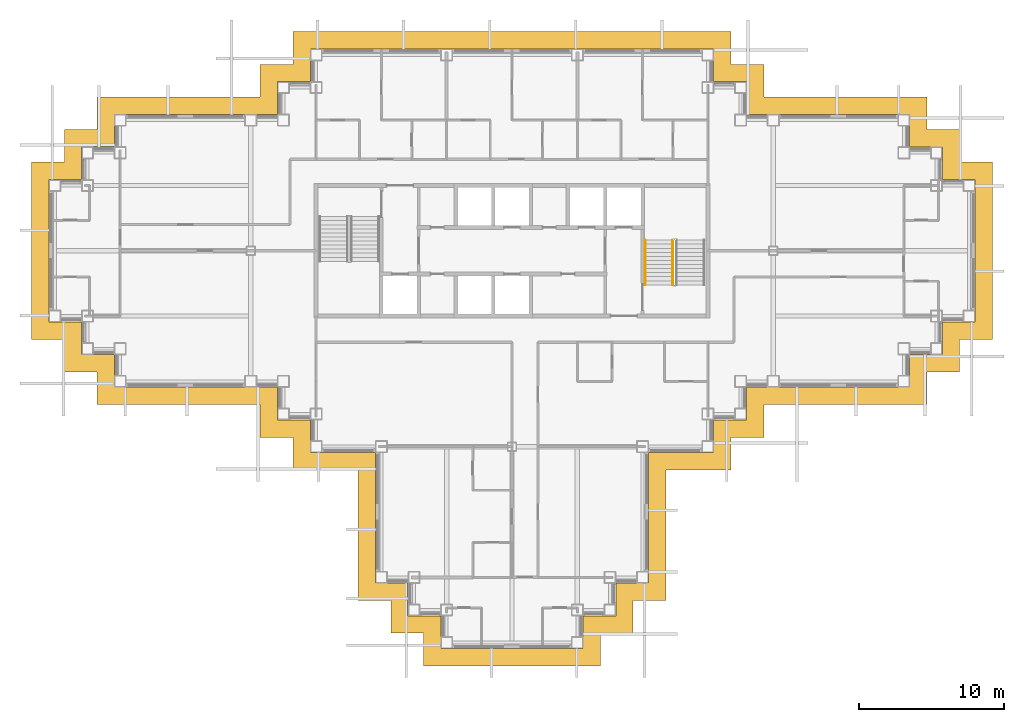
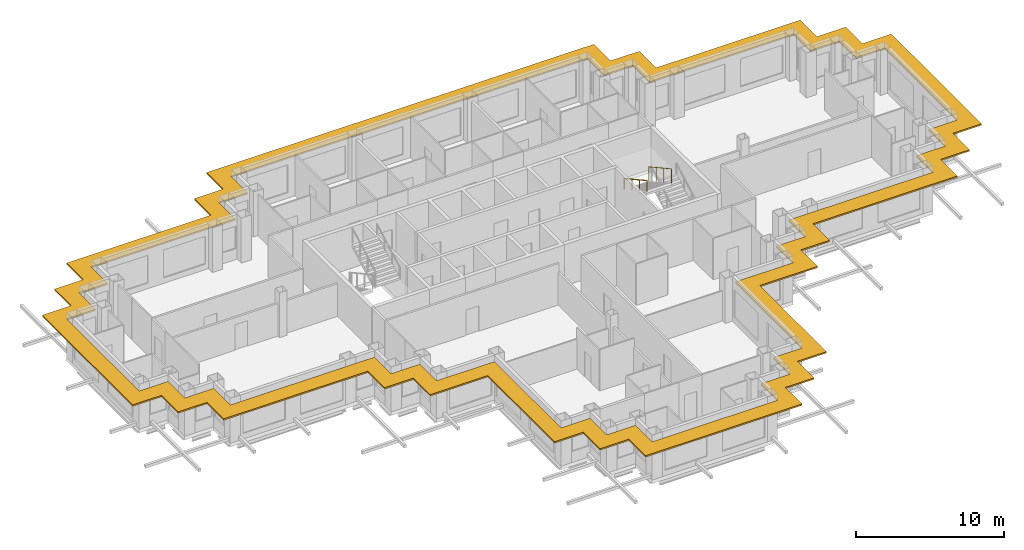
# One storey, part 13 of 14: 2 railings, 1 shading device.
"""IFC4 building model written with IfcOpenShell, lengths in metres."""

from ifc_helpers import new_model, si_unit, direction, frame, origin, origin_2d, place, context, subcontext, project, spatial, polyline, circle, outline, extrude, material, layer, layer_set, type_object, element, save


model = new_model("IFC4")

# Units and contexts
model_context = context("Model", 3, precision=1e-05, world=origin(), true_north=direction((0.0, 1.0)))
body_context = subcontext(model_context, "Body", "Model", "MODEL_VIEW")
ifc_project = project(units=[si_unit("LENGTHUNIT", "METRE"), si_unit("AREAUNIT", "SQUARE_METRE"), si_unit("VOLUMEUNIT", "CUBIC_METRE"), si_unit("PLANEANGLEUNIT", "RADIAN"), si_unit("MASSUNIT", "GRAM", prefix="KILO")], contexts=[model_context])

# Site, building, storey
site_placement = place(None, origin())
site = spatial("IfcSite", under=ifc_project, at=site_placement, CompositionType="ELEMENT")
building_placement = place(site_placement, origin())
building = spatial("IfcBuilding", under=site, at=building_placement, Name="Caravel Reach Hotel and Residences", CompositionType="ELEMENT")
storey_placement = place(building_placement, frame((0.0, 0.0, 161.699951171875)))
storey = spatial("IfcBuildingStorey", under=building, at=storey_placement, Name="L40", CompositionType="ELEMENT", Elevation=161.699951171875)

# Railings
ifc_material_1 = material(Name="Steel balustrade with glass infill", Category="steel")
railing_type_1 = type_object("IfcRailingType", Name="Guard 1200", PredefinedType="GUARDRAIL", material=ifc_material_1)
railing_1_placement = place(storey_placement, frame((42.574951171875, 27.72998046875, 2.004150390625)))
element("IfcRailing", 1, at=railing_1_placement, inside=storey, type_object=railing_type_1, Name="L40 ST-B stair guard 3", PredefinedType="GUARDRAIL", context=body_context, shape_type="SweptSolid", body=[
    extrude(circle(Radius=0.02392578125, at=origin_2d()), frame((0.0, 0.0, 1.17578125), z_axis=(0.0, -0.876004717809, 0.482302534076), x_axis=(1.0, 0.0, 0.0)), (0.0, 0.0, 1.0), 3.51611328125),
    extrude(circle(Radius=0.02099609375, at=origin_2d()), origin(), (0.0, 0.0, 1.0), 1.15185546875),
    extrude(circle(Radius=0.02099609375, at=origin_2d()), frame((0.0, -1.026611328125, 0.565185546875)), (0.0, 0.0, 1.0), 1.15185546875),
    extrude(circle(Radius=0.02099609375, at=origin_2d()), frame((0.0, -2.053466796875, 1.130615234375)), (0.0, 0.0, 1.0), 1.15185546875),
    extrude(circle(Radius=0.02099609375, at=origin_2d()), frame((0.0, -3.080078125, 1.69580078125)), (0.0, 0.0, 1.0), 1.15185546875),
])
ifc_material_2 = material(Name="Stainless steel handrail", Category="steel")
railing_type_2 = type_object("IfcRailingType", Name="Handrail 900", PredefinedType="HANDRAIL", material=ifc_material_2)
railing_2_placement = place(storey_placement, frame((40.675048828125, 27.72998046875, 2.004150390625)))
element("IfcRailing", 2, at=railing_2_placement, inside=storey, type_object=railing_type_2, Name="L40 ST-B stair handrail 2", PredefinedType="HANDRAIL", context=body_context, shape_type="SweptSolid", body=[
    extrude(circle(Radius=0.02392578125, at=origin_2d()), frame((0.0, 0.0, 0.8759765625), z_axis=(0.0, -0.876004717809, 0.482302534076), x_axis=(1.0, 0.0, 0.0)), (0.0, 0.0, 1.0), 3.51611328125),
    extrude(circle(Radius=0.02099609375, at=origin_2d()), origin(), (0.0, 0.0, 1.0), 0.851806640625),
    extrude(circle(Radius=0.02099609375, at=origin_2d()), frame((0.0, -1.026611328125, 0.565185546875)), (0.0, 0.0, 1.0), 0.851806640625),
    extrude(circle(Radius=0.02099609375, at=origin_2d()), frame((0.0, -2.053466796875, 1.130615234375)), (0.0, 0.0, 1.0), 0.851806640625),
    extrude(circle(Radius=0.02099609375, at=origin_2d()), frame((0.0, -3.080078125, 1.69580078125)), (0.0, 0.0, 1.0), 0.851806640625),
])

# Shading device
ifc_material_3 = material(Name="Black powder-coated aluminium", Category="aluminium")
ifc_layer = layer(ifc_material_3, 0.1201171875)
ifc_layer_set = layer_set([ifc_layer], Name="SS1 Sunshade band 1200")
shading_device_type = type_object("IfcShadingDeviceType", Name="SS1 Sunshade band 1200", PredefinedType="USERDEFINED", material=ifc_layer_set)
shading_device_placement = place(storey_placement, frame((0.0, 0.0, 3.0400390625)))
element("IfcShadingDevice", 3, at=shading_device_placement, inside=storey, type_object=shading_device_type, Name="Sunshade L40 1", ObjectType="SUNSHADE", PredefinedType="USERDEFINED", context=body_context, shape_type="SweptSolid", body=[
    extrude(outline(polyline([(20.89990234375, 11.89990234375), (20.89990234375, 2.89990234375), (23.14990234375, 2.89990234375), (23.14990234375, 0.64990234375), (25.39990234375, 0.64990234375), (25.39990234375, -1.60009765625), (37.60009765625, -1.60009765625), (37.60009765625, 0.64990234375), (39.85009765625, 0.64990234375), (39.85009765625, 2.89990234375), (42.10009765625, 2.89990234375), (42.10009765625, 11.89990234375), (46.60009765625, 11.89990234375), (46.60009765625, 14.14990234375), (48.85009765625, 14.14990234375), (48.85009765625, 16.39990234375), (60.10009765625, 16.39990234375), (60.10009765625, 18.64990234375), (62.35009765625, 18.64990234375), (62.35009765625, 20.89990234375), (64.60009765625, 20.89990234375), (64.60009765625, 33.10009765625), (62.35009765625, 33.10009765625), (62.35009765625, 35.35009765625), (60.10009765625, 35.35009765625), (60.10009765625, 37.60009765625), (48.85009765625, 37.60009765625), (48.85009765625, 39.85009765625), (46.60009765625, 39.85009765625), (46.60009765625, 42.10009765625), (16.39990234375, 42.10009765625), (16.39990234375, 39.85009765625), (14.14990234375, 39.85009765625), (14.14990234375, 37.60009765625), (2.89990234375, 37.60009765625), (2.89990234375, 35.35009765625), (0.64990234375, 35.35009765625), (0.64990234375, 33.10009765625), (-1.60009765625, 33.10009765625), (-1.60009765625, 20.89990234375), (0.64990234375, 20.89990234375), (0.64990234375, 18.64990234375), (2.89990234375, 18.64990234375), (2.89990234375, 16.39990234375), (14.14990234375, 16.39990234375), (14.14990234375, 14.14990234375), (16.39990234375, 14.14990234375), (16.39990234375, 11.89990234375), (20.89990234375, 11.89990234375)]), holes=[polyline([(24.35009765625, 4.10009765625), (22.10009765625, 4.10009765625), (22.10009765625, 13.10009765625), (17.60009765625, 13.10009765625), (17.60009765625, 15.35009765625), (15.35009765625, 15.35009765625), (15.35009765625, 17.60009765625), (4.10009765625, 17.60009765625), (4.10009765625, 19.85009765625), (1.85009765625, 19.85009765625), (1.85009765625, 22.10009765625), (-0.39990234375, 22.10009765625), (-0.39990234375, 31.89990234375), (1.85009765625, 31.89990234375), (1.85009765625, 34.14990234375), (4.10009765625, 34.14990234375), (4.10009765625, 36.39990234375), (15.35009765625, 36.39990234375), (15.35009765625, 38.64990234375), (17.60009765625, 38.64990234375), (17.60009765625, 40.89990234375), (45.39990234375, 40.89990234375), (45.39990234375, 38.64990234375), (47.64990234375, 38.64990234375), (47.64990234375, 36.39990234375), (58.89990234375, 36.39990234375), (58.89990234375, 34.14990234375), (61.14990234375, 34.14990234375), (61.14990234375, 31.89990234375), (63.39990234375, 31.89990234375), (63.39990234375, 22.10009765625), (61.14990234375, 22.10009765625), (61.14990234375, 19.85009765625), (58.89990234375, 19.85009765625), (58.89990234375, 17.60009765625), (47.64990234375, 17.60009765625), (47.64990234375, 15.35009765625), (45.39990234375, 15.35009765625), (45.39990234375, 13.10009765625), (40.89990234375, 13.10009765625), (40.89990234375, 4.10009765625), (38.64990234375, 4.10009765625), (38.64990234375, 1.85009765625), (36.39990234375, 1.85009765625), (36.39990234375, -0.39990234375), (26.60009765625, -0.39990234375), (26.60009765625, 1.85009765625), (24.35009765625, 1.85009765625), (24.35009765625, 4.10009765625)])]), origin(), (0.0, 0.0, 1.0), 0.1201171875),
])

save(model, "model.ifc")
